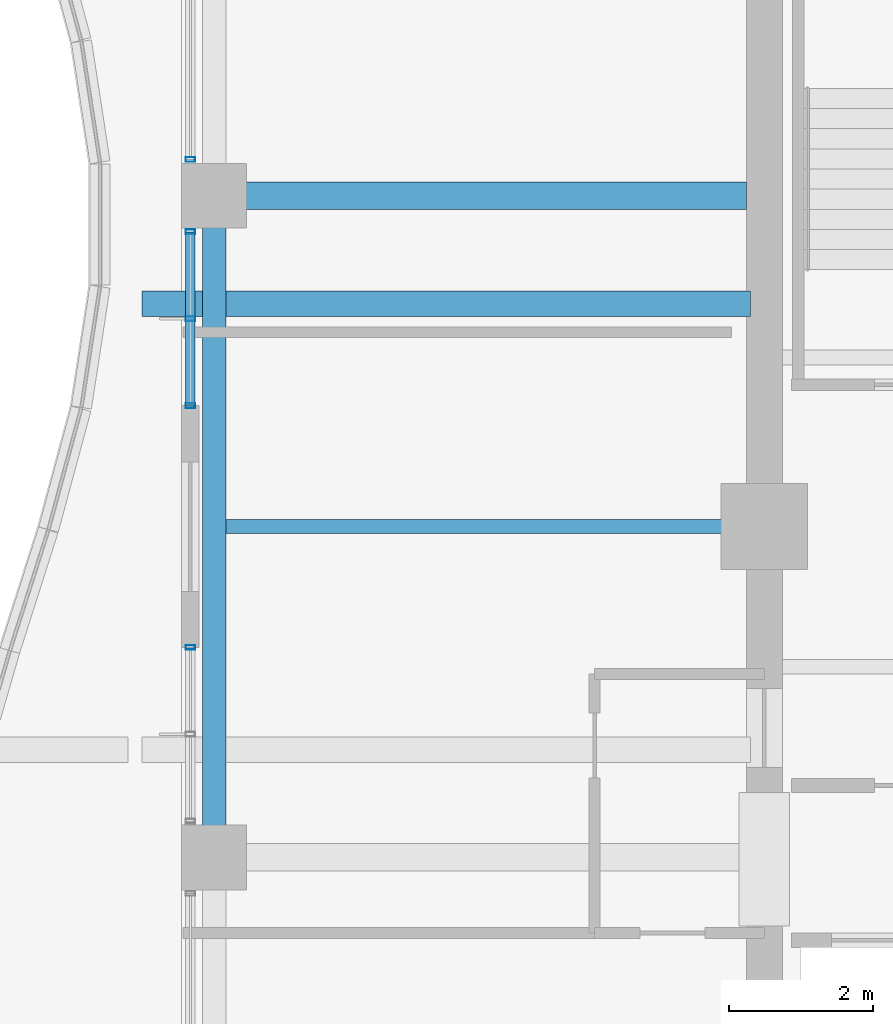
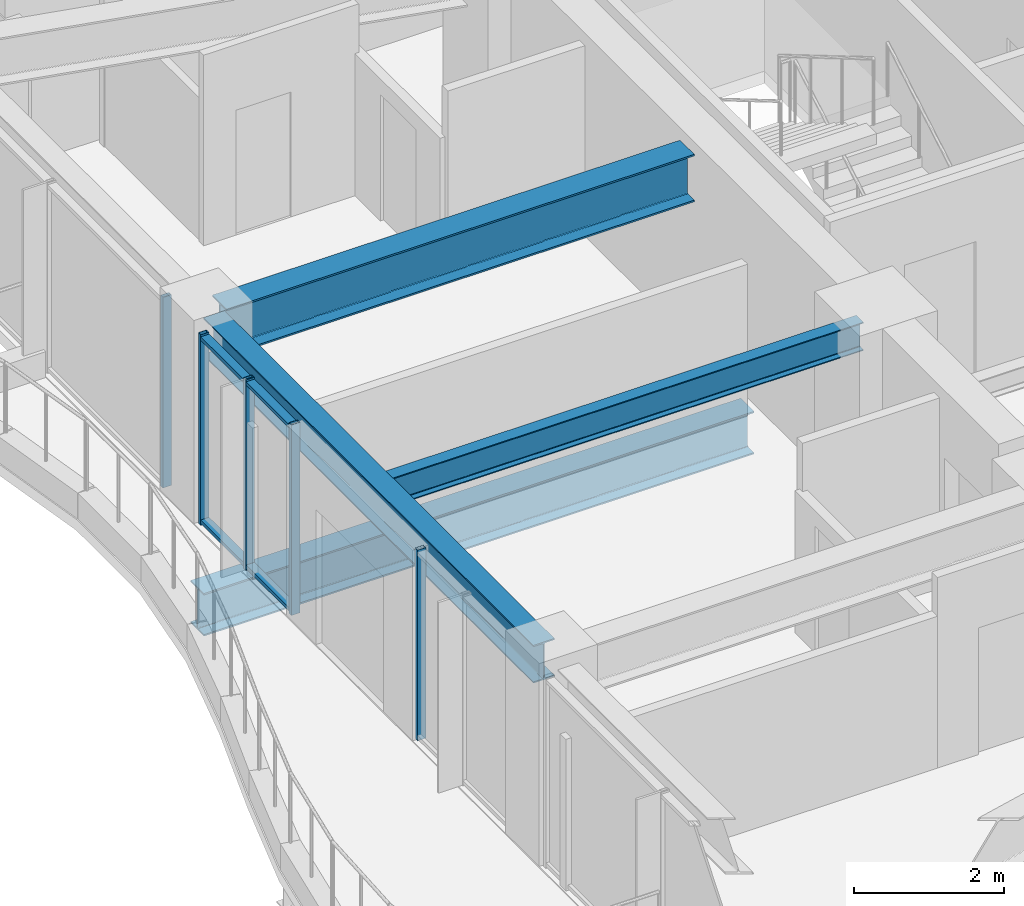
# One storey, part 9 of 33: 7 members, 4 beams, 3 elements without a shape of their own.
"""IFC4 building model written with IfcOpenShell, lengths in metres."""

from ifc_helpers import new_model, si_unit, direction, frame, origin, origin_2d, place, context, subcontext, project, spatial, hollow_rectangle, i_section, extrude, material, material_profile, profile_set, type_object, element, aggregate, save


model = new_model("IFC4")

# Units and contexts
model_context = context("Model", 3, precision=1e-05, world=origin(), true_north=direction((0.0, 1.0)))
body_context = subcontext(model_context, "Body", "Model", "MODEL_VIEW")
ifc_project = project(units=[si_unit("LENGTHUNIT", "METRE"), si_unit("AREAUNIT", "SQUARE_METRE"), si_unit("VOLUMEUNIT", "CUBIC_METRE"), si_unit("PLANEANGLEUNIT", "RADIAN"), si_unit("MASSUNIT", "GRAM", prefix="KILO")], contexts=[model_context])

# Site, building, storey
site_placement = place(None, origin())
site = spatial("IfcSite", under=ifc_project, at=site_placement, CompositionType="ELEMENT")
building_placement = place(site_placement, origin())
building = spatial("IfcBuilding", under=site, at=building_placement, Name="Kolvaren Belvedere", CompositionType="ELEMENT")
storey_placement = place(building_placement, frame((0.0, 0.0, 128.300048828125)))
storey = spatial("IfcBuildingStorey", under=building, at=storey_placement, Name="L37", CompositionType="ELEMENT", Elevation=128.300048828125)

# Beams
ifc_material_1 = material(Name="Structural steel ASTM A992 Grade 50", Category="steel")
ifc_material_profile_1 = material_profile(ifc_material_1, i_section(OverallWidth=0.35498046875, OverallDepth=0.696044921875, WebThickness=0.015380859375, FlangeThickness=0.02490234375, FilletRadius=0.02197265625, at=origin_2d()), Name="W27X146")
ifc_profile_set_1 = profile_set([ifc_material_profile_1], Name="Structural steel ASTM A992 Grade 50")
beam_type_1 = type_object("IfcBeamType", Name="BM-GIRD-W27X146", PredefinedType="BEAM", material=ifc_profile_set_1)
beam_1_placement = place(storey_placement, frame((-10.090087890625, 3.10009765625, -0.548095703125), z_axis=(-1.0, 0.0, 0.0), x_axis=(0.0, -1.0, 0.0)))
element("IfcBeam", 1, at=beam_1_placement, inside=storey, type_object=beam_type_1, Name="L37 Balcony Interior Back-Span Girder BAL-W-2", PredefinedType="BEAM", context=body_context, shape_type="SweptSolid", body=[
    extrude(i_section(OverallWidth=0.35498046875, OverallDepth=0.696044921875, WebThickness=0.015380859375, FlangeThickness=0.02490234375, FilletRadius=0.02197265625, at=origin_2d()), origin(), (0.0, 0.0, 1.0), 8.46484375),
])
ifc_material_2 = material(Name="Structural steel ASTM A992 Grade 50", Category="steel")
ifc_material_profile_2 = material_profile(ifc_material_2, i_section(OverallWidth=0.381103515625, OverallDepth=0.77294921875, WebThickness=0.0166015625, FlangeThickness=0.027099609375, FilletRadius=0.02392578125, at=origin_2d()), Name="W30X173")
ifc_profile_set_2 = profile_set([ifc_material_profile_2], Name="Structural steel ASTM A992 Grade 50")
beam_type_2 = type_object("IfcBeamType", Name="BM-GIRD-W30X173", PredefinedType="BEAM", material=ifc_profile_set_2)
beam_2_placement = place(storey_placement, frame((-10.14990234375, 4.60009765625, 2.71337890625), z_axis=(-1.0, 0.0, 0.0), x_axis=(0.0, -1.0, 0.0)))
element("IfcBeam", 2, at=beam_2_placement, inside=storey, type_object=beam_type_2, Name="L37 West Radial Girder P", PredefinedType="BEAM", context=body_context, shape_type="SweptSolid", body=[
    extrude(i_section(OverallWidth=0.381103515625, OverallDepth=0.77294921875, WebThickness=0.0166015625, FlangeThickness=0.027099609375, FilletRadius=0.02392578125, at=origin_2d()), origin(), (0.0, 0.0, 1.0), 7.197509765625),
])
ifc_material_3 = material(Name="Structural steel ASTM A992 Grade 50", Category="steel")
ifc_material_profile_3 = material_profile(ifc_material_3, i_section(OverallWidth=0.19091796875, OverallDepth=0.4599609375, WebThickness=0.010009765625, FlangeThickness=0.01611328125, FilletRadius=0.014892578125, at=origin_2d()), Name="W18X55")
ifc_profile_set_3 = profile_set([ifc_material_profile_3], Name="Structural steel ASTM A992 Grade 50")
beam_type_3 = type_object("IfcBeamType", Name="BM-JOIST-W18X55", PredefinedType="BEAM", material=ifc_profile_set_3)
beam_3_placement = place(storey_placement, frame((-10.14990234375, 0.0, 2.869873046875), z_axis=(-1.0, 0.0, 0.0), x_axis=(0.0, -1.0, 0.0)))
element("IfcBeam", 3, at=beam_3_placement, inside=storey, type_object=beam_type_3, Name="L37 West Centre Floor Beam", PredefinedType="BEAM", context=body_context, shape_type="SweptSolid", body=[
    extrude(i_section(OverallWidth=0.19091796875, OverallDepth=0.4599609375, WebThickness=0.010009765625, FlangeThickness=0.01611328125, FilletRadius=0.014892578125, at=origin_2d()), origin(), (0.0, 0.0, 1.0), 7.237548828125),
])
ifc_material_4 = material(Name="Structural steel ASTM A992 Grade 50", Category="steel")
ifc_material_profile_4 = material_profile(ifc_material_4, i_section(OverallWidth=0.324951171875, OverallDepth=0.615966796875, WebThickness=0.013916015625, FlangeThickness=0.021484375, FilletRadius=0.02001953125, at=origin_2d()), Name="W24X117")
ifc_profile_set_4 = profile_set([ifc_material_profile_4], Name="Structural steel ASTM A992 Grade 50")
beam_type_4 = type_object("IfcBeamType", Name="BM-SPAN-W24X117", PredefinedType="SPANDREL", material=ifc_profile_set_4)
beam_4_placement = place(storey_placement, frame((-17.550048828125, 4.3974609375, 2.7919921875), z_axis=(0.0, -1.0, 0.0), x_axis=(1.0, 0.0, 0.0)))
element("IfcBeam", 4, at=beam_4_placement, inside=storey, type_object=beam_type_4, Name="L37 Perimeter Spandrel W3-W2", PredefinedType="SPANDREL", context=body_context, shape_type="SweptSolid", body=[
    extrude(i_section(OverallWidth=0.324951171875, OverallDepth=0.615966796875, WebThickness=0.013916015625, FlangeThickness=0.021484375, FilletRadius=0.02001953125, at=origin_2d()), origin(), (0.0, 0.0, 1.0), 8.794921875),
])

# Curtain wall, member
ifc_material_5 = material(Name="Anodised pale-metal aluminium AA 6063-T6", Category="aluminium")
curtain_wall_type = type_object("IfcCurtainWallType", Name="CW-Z3-WAIST", PredefinedType="NOTDEFINED", material=ifc_material_5)
curtain_wall_1_placement = place(storey_placement, origin())
curtain_wall_1 = element("IfcCurtainWall", 5, at=curtain_wall_1_placement, inside=storey, type_object=curtain_wall_type, Name="L37 Unitised Curtain Wall FCW-L37-W1-B2", PredefinedType="NOTDEFINED")
ifc_material_6 = material(Name="Anodised pale-metal aluminium AA 6063-T6", Category="aluminium")
ifc_material_profile_5 = material_profile(ifc_material_6, hollow_rectangle(XDim=0.06494140625, YDim=0.1298828125, WallThickness=0.00390625, at=origin_2d()), Name="ALU-MUL-130X65")
ifc_profile_set_5 = profile_set([ifc_material_profile_5], Name="Anodised pale-metal aluminium AA 6063-T6")
member_type_1 = type_object("IfcMemberType", Name="CW-MUL-130", PredefinedType="MULLION", material=ifc_profile_set_5)
member_1_placement = place(storey_placement, frame((-17.8798828125, -1.679931640625, 0.0), z_axis=(0.0, 0.0, 1.0), x_axis=(0.0, 1.0, 0.0)))
member_1 = element("IfcMember", 6, at=member_1_placement, type_object=member_type_1, Name="FCW-L37-W1-B2 Unitised Mullion 3", PredefinedType="MULLION", context=body_context, shape_type="SweptSolid", body=[
    extrude(hollow_rectangle(XDim=0.06494140625, YDim=0.1298828125, WallThickness=0.00390625, at=origin_2d()), origin(), (0.0, 0.0, 1.0), 3.099853515625),
])
aggregate(curtain_wall_1, [member_1])

# Curtain wall, members
curtain_wall_2_placement = place(storey_placement, origin())
curtain_wall_2 = element("IfcCurtainWall", 7, at=curtain_wall_2_placement, inside=storey, type_object=curtain_wall_type, Name="L37 Unitised Curtain Wall FCW-L37-W2-B1", PredefinedType="NOTDEFINED")
member_2_placement = place(storey_placement, frame((-17.8798828125, 1.679931640625, 0.0), z_axis=(0.0, 0.0, 1.0), x_axis=(0.0, 1.0, 0.0)))
member_2 = element("IfcMember", 8, at=member_2_placement, type_object=member_type_1, Name="FCW-L37-W2-B1 Unitised Mullion 1", PredefinedType="MULLION", context=body_context, shape_type="SweptSolid", body=[
    extrude(hollow_rectangle(XDim=0.06494140625, YDim=0.1298828125, WallThickness=0.00390625, at=origin_2d()), origin(), (0.0, 0.0, 1.0), 3.099853515625),
])
member_3_placement = place(storey_placement, frame((-17.8798828125, 2.888671875, 0.0), z_axis=(0.0, 0.0, 1.0), x_axis=(0.0, 1.0, 0.0)))
member_3 = element("IfcMember", 9, at=member_3_placement, type_object=member_type_1, Name="FCW-L37-W2-B1 Unitised Mullion 2", PredefinedType="MULLION", context=body_context, shape_type="SweptSolid", body=[
    extrude(hollow_rectangle(XDim=0.06494140625, YDim=0.1298828125, WallThickness=0.00390625, at=origin_2d()), origin(), (0.0, 0.0, 1.0), 3.099853515625),
])
member_4_placement = place(storey_placement, frame((-17.8798828125, 4.097412109375, 0.0), z_axis=(0.0, 0.0, 1.0), x_axis=(0.0, 1.0, 0.0)))
member_4 = element("IfcMember", 10, at=member_4_placement, type_object=member_type_1, Name="FCW-L37-W2-B1 Unitised Mullion 3", PredefinedType="MULLION", context=body_context, shape_type="SweptSolid", body=[
    extrude(hollow_rectangle(XDim=0.06494140625, YDim=0.1298828125, WallThickness=0.00390625, at=origin_2d()), origin(), (0.0, 0.0, 1.0), 3.099853515625),
])

# Curtain wall, member
curtain_wall_3_placement = place(storey_placement, origin())
curtain_wall_3 = element("IfcCurtainWall", 11, at=curtain_wall_3_placement, inside=storey, type_object=curtain_wall_type, Name="L37 Unitised Curtain Wall FCW-L37-W2-B2", PredefinedType="NOTDEFINED")
member_5_placement = place(storey_placement, frame((-17.8798828125, 5.1025390625, 0.0), z_axis=(0.0, 0.0, 1.0), x_axis=(0.0, 1.0, 0.0)))
member_5 = element("IfcMember", 12, at=member_5_placement, type_object=member_type_1, Name="FCW-L37-W2-B2 Unitised Mullion 1", PredefinedType="MULLION", context=body_context, shape_type="SweptSolid", body=[
    extrude(hollow_rectangle(XDim=0.06494140625, YDim=0.1298828125, WallThickness=0.00390625, at=origin_2d()), origin(), (0.0, 0.0, 1.0), 3.099853515625),
])
aggregate(curtain_wall_3, [member_5])

# Member
ifc_material_7 = material(Name="Anodised pale-metal aluminium AA 6063-T6", Category="aluminium")
ifc_material_profile_6 = material_profile(ifc_material_7, hollow_rectangle(XDim=0.06005859375, YDim=0.1298828125, WallThickness=0.00390625, at=origin_2d()), Name="ALU-TRN-130X60")
ifc_profile_set_6 = profile_set([ifc_material_profile_6], Name="Anodised pale-metal aluminium AA 6063-T6")
member_type_2 = type_object("IfcMemberType", Name="CW-TRN-130", PredefinedType="USERDEFINED", material=ifc_profile_set_6)
member_6_placement = place(storey_placement, frame((-17.8798828125, 1.679931640625, 0.06005859375), z_axis=(0.0, 1.0, 0.0), x_axis=(0.0, 0.0, 1.0)))
member_6 = element("IfcMember", 13, at=member_6_placement, type_object=member_type_2, Name="FCW-L37-W2-B1 Sill Transom", ObjectType="TRANSOM", PredefinedType="USERDEFINED", context=body_context, shape_type="SweptSolid", body=[
    extrude(hollow_rectangle(XDim=0.06005859375, YDim=0.1298828125, WallThickness=0.00390625, at=origin_2d()), origin(), (0.0, 0.0, 1.0), 2.41748046875),
])

member_7_placement = place(storey_placement, frame((-17.8798828125, 1.679931640625, 3.0400390625), z_axis=(0.0, 1.0, 0.0), x_axis=(0.0, 0.0, 1.0)))
member_7 = element("IfcMember", 14, at=member_7_placement, type_object=member_type_2, Name="FCW-L37-W2-B1 Head Transom", ObjectType="TRANSOM", PredefinedType="USERDEFINED", context=body_context, shape_type="SweptSolid", body=[
    extrude(hollow_rectangle(XDim=0.06005859375, YDim=0.1298828125, WallThickness=0.00390625, at=origin_2d()), origin(), (0.0, 0.0, 1.0), 2.41748046875),
])

aggregate(curtain_wall_2, [member_2, member_3, member_4, member_6, member_7])

save(model, "model.ifc")
